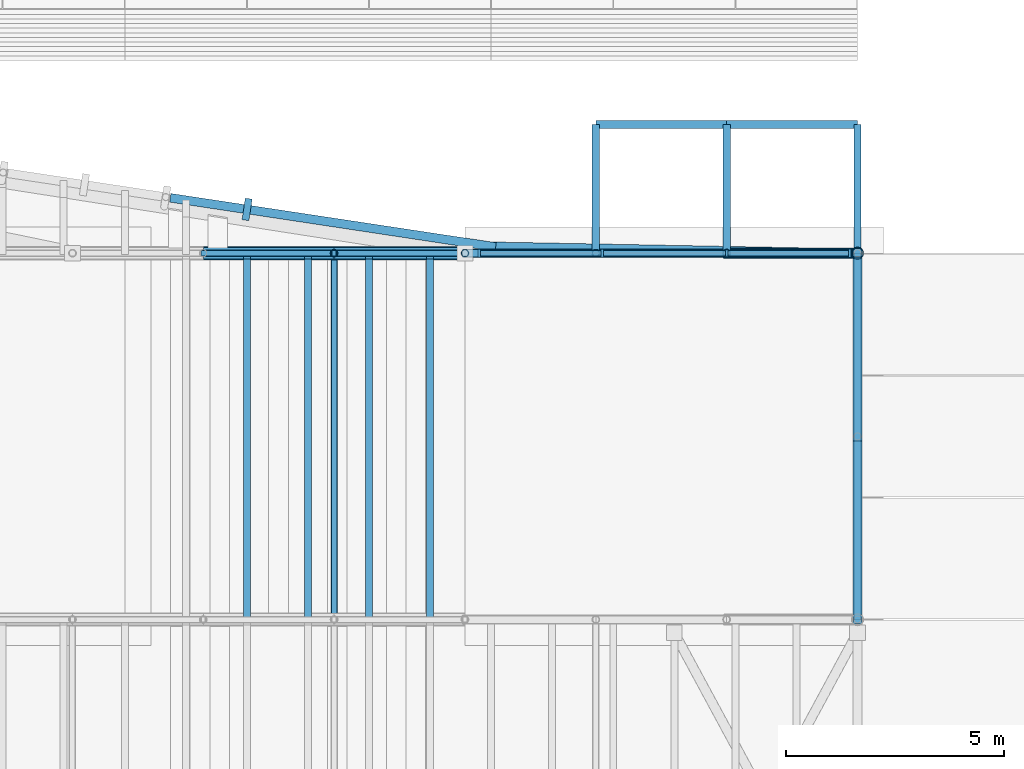
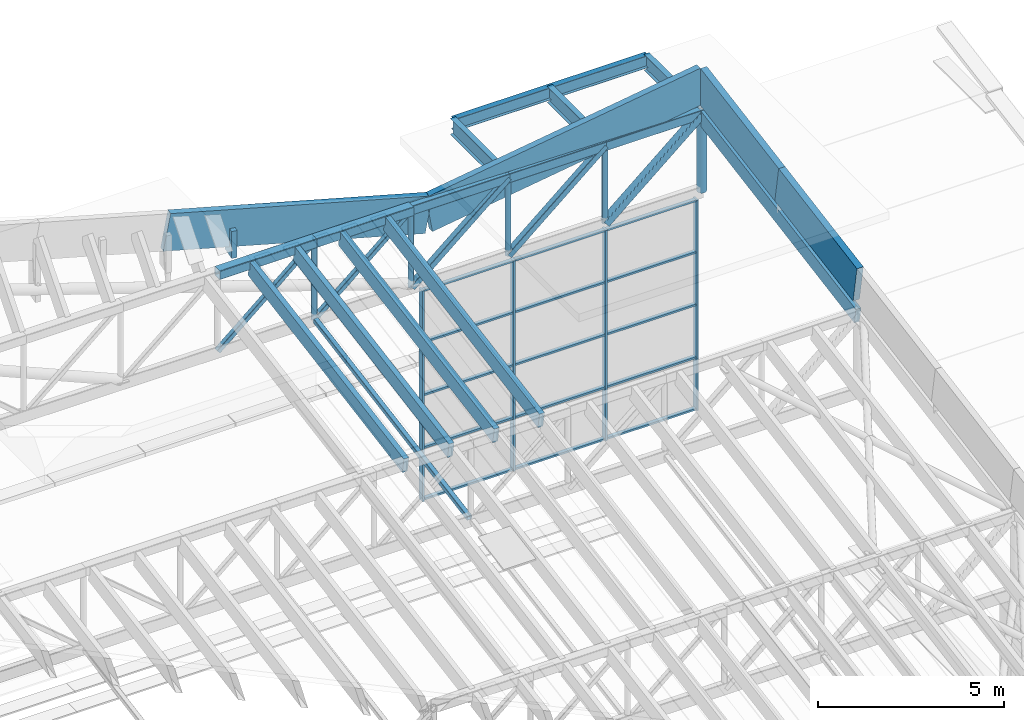
# One storey, part 51 of 91: 41 members, 9 beams, 1 element without a shape of its own.
"""IFC4 building model written with IfcOpenShell, lengths in metres."""

from ifc_helpers import new_model, si_unit, direction, frame, origin, origin_2d, place, context, subcontext, project, spatial, rectangle, hollow_rectangle, hollow_circle, i_section, extrude, material, material_profile, profile_set, type_object, element, aggregate, save


model = new_model("IFC4")

# Units and contexts
model_context = context("Model", 3, precision=1e-05, world=origin(), true_north=direction((0.0, 1.0)))
body_context = subcontext(model_context, "Body", "Model", "MODEL_VIEW")
ifc_project = project(units=[si_unit("LENGTHUNIT", "METRE"), si_unit("AREAUNIT", "SQUARE_METRE"), si_unit("VOLUMEUNIT", "CUBIC_METRE"), si_unit("PLANEANGLEUNIT", "RADIAN"), si_unit("MASSUNIT", "GRAM", prefix="KILO")], contexts=[model_context])

# Site, building, storey
site_placement = place(None, origin())
site = spatial("IfcSite", under=ifc_project, at=site_placement, CompositionType="ELEMENT")
building_placement = place(site_placement, origin())
building = spatial("IfcBuilding", under=site, at=building_placement, Name="Almond Square Museum", CompositionType="ELEMENT")
storey_placement = place(building_placement, frame((0.0, 0.0, 30.0)))
storey = spatial("IfcBuildingStorey", under=building, at=storey_placement, Name="L05", CompositionType="ELEMENT", Elevation=30.0)

# Curtain wall, members
ifc_material_1 = material(Name="Aluminium and laminated glass", Category="aluminium")
curtain_wall_type = type_object("IfcCurtainWallType", Name="Clerestory curtain wall 2800 module", PredefinedType="NOTDEFINED", material=ifc_material_1)
curtain_wall_placement = place(storey_placement, origin())
curtain_wall = element("IfcCurtainWall", 1, at=curtain_wall_placement, inside=storey, type_object=curtain_wall_type, Name="Hall north clerestory glazing 1", PredefinedType="NOTDEFINED")
ifc_material_2 = material(Name="Anodised aluminium", Category="aluminium")
ifc_material_profile_1 = material_profile(ifc_material_2, rectangle(XDim=0.199951171875, YDim=0.06005859375, at=origin_2d()))
ifc_profile_set_1 = profile_set([ifc_material_profile_1], Name="Anodised aluminium")
member_type_1 = type_object("IfcMemberType", Name="Aluminium mullion 60 x 200", PredefinedType="MULLION", material=ifc_profile_set_1)
member_1_placement = place(storey_placement, frame((140.1298828125, 109.199951171875, 6.89990234375), z_axis=(0.0, 0.0, 1.0), x_axis=(0.0, 1.0, 0.0)))
member_1 = element("IfcMember", 2, at=member_1_placement, type_object=member_type_1, Name="CW-61 mullion 1", PredefinedType="MULLION", context=body_context, shape_type="SweptSolid", body=[
    extrude(rectangle(XDim=0.199951171875, YDim=0.06005859375, at=origin_2d()), origin(), (0.0, 0.0, 1.0), 6.89013671875),
])
member_2_placement = place(storey_placement, frame((142.949951171875, 109.199951171875, 6.89990234375), z_axis=(0.0, 0.0, 1.0), x_axis=(0.0, 1.0, 0.0)))
member_2 = element("IfcMember", 3, at=member_2_placement, type_object=member_type_1, Name="CW-61 mullion 2", PredefinedType="MULLION", context=body_context, shape_type="SweptSolid", body=[
    extrude(rectangle(XDim=0.199951171875, YDim=0.06005859375, at=origin_2d()), origin(), (0.0, 0.0, 1.0), 6.89013671875),
])
member_3_placement = place(storey_placement, frame((145.800048828125, 109.199951171875, 6.89990234375), z_axis=(0.0, 0.0, 1.0), x_axis=(0.0, 1.0, 0.0)))
member_3 = element("IfcMember", 4, at=member_3_placement, type_object=member_type_1, Name="CW-61 mullion 3", PredefinedType="MULLION", context=body_context, shape_type="SweptSolid", body=[
    extrude(rectangle(XDim=0.199951171875, YDim=0.06005859375, at=origin_2d()), origin(), (0.0, 0.0, 1.0), 6.89013671875),
])
member_4_placement = place(storey_placement, frame((148.6201171875, 109.199951171875, 6.89990234375), z_axis=(0.0, 0.0, 1.0), x_axis=(0.0, 1.0, 0.0)))
member_4 = element("IfcMember", 5, at=member_4_placement, type_object=member_type_1, Name="CW-61 mullion 4", PredefinedType="MULLION", context=body_context, shape_type="SweptSolid", body=[
    extrude(rectangle(XDim=0.199951171875, YDim=0.06005859375, at=origin_2d()), origin(), (0.0, 0.0, 1.0), 6.89013671875),
])
ifc_material_3 = material(Name="Anodised aluminium", Category="aluminium")
ifc_material_profile_2 = material_profile(ifc_material_3, rectangle(XDim=0.1201171875, YDim=0.06005859375, at=origin_2d()))
ifc_profile_set_2 = profile_set([ifc_material_profile_2], Name="Anodised aluminium")
member_type_2 = type_object("IfcMemberType", Name="Aluminium transom 60 x 120", PredefinedType="USERDEFINED", material=ifc_profile_set_2)
member_5_placement = place(storey_placement, frame((140.159912109375, 109.199951171875, 6.929931640625), z_axis=(1.0, 0.0, 0.0), x_axis=(0.0, 1.0, 0.0)))
member_5 = element("IfcMember", 6, at=member_5_placement, type_object=member_type_2, Name="CW-61 transom 1.1", ObjectType="TRANSOM", PredefinedType="USERDEFINED", context=body_context, shape_type="SweptSolid", body=[
    extrude(rectangle(XDim=0.1201171875, YDim=0.06005859375, at=origin_2d()), origin(), (0.0, 0.0, 1.0), 2.760009765625),
])
member_6_placement = place(storey_placement, frame((140.159912109375, 109.199951171875, 8.62255859375), z_axis=(1.0, 0.0, 0.0), x_axis=(0.0, 1.0, 0.0)))
member_6 = element("IfcMember", 7, at=member_6_placement, type_object=member_type_2, Name="CW-61 transom 1.2", ObjectType="TRANSOM", PredefinedType="USERDEFINED", context=body_context, shape_type="SweptSolid", body=[
    extrude(rectangle(XDim=0.1201171875, YDim=0.06005859375, at=origin_2d()), origin(), (0.0, 0.0, 1.0), 2.760009765625),
])
member_7_placement = place(storey_placement, frame((140.159912109375, 109.199951171875, 10.344970703125), z_axis=(1.0, 0.0, 0.0), x_axis=(0.0, 1.0, 0.0)))
member_7 = element("IfcMember", 8, at=member_7_placement, type_object=member_type_2, Name="CW-61 transom 1.3", ObjectType="TRANSOM", PredefinedType="USERDEFINED", context=body_context, shape_type="SweptSolid", body=[
    extrude(rectangle(XDim=0.1201171875, YDim=0.06005859375, at=origin_2d()), origin(), (0.0, 0.0, 1.0), 2.760009765625),
])
member_8_placement = place(storey_placement, frame((140.159912109375, 109.199951171875, 12.0673828125), z_axis=(1.0, 0.0, 0.0), x_axis=(0.0, 1.0, 0.0)))
member_8 = element("IfcMember", 9, at=member_8_placement, type_object=member_type_2, Name="CW-61 transom 1.4", ObjectType="TRANSOM", PredefinedType="USERDEFINED", context=body_context, shape_type="SweptSolid", body=[
    extrude(rectangle(XDim=0.1201171875, YDim=0.06005859375, at=origin_2d()), origin(), (0.0, 0.0, 1.0), 2.760009765625),
])
member_9_placement = place(storey_placement, frame((140.159912109375, 109.199951171875, 13.760009765625), z_axis=(1.0, 0.0, 0.0), x_axis=(0.0, 1.0, 0.0)))
member_9 = element("IfcMember", 10, at=member_9_placement, type_object=member_type_2, Name="CW-61 transom 1.5", ObjectType="TRANSOM", PredefinedType="USERDEFINED", context=body_context, shape_type="SweptSolid", body=[
    extrude(rectangle(XDim=0.1201171875, YDim=0.06005859375, at=origin_2d()), origin(), (0.0, 0.0, 1.0), 2.760009765625),
])
member_10_placement = place(storey_placement, frame((142.97998046875, 109.199951171875, 6.929931640625), z_axis=(1.0, 0.0, 0.0), x_axis=(0.0, 1.0, 0.0)))
member_10 = element("IfcMember", 11, at=member_10_placement, type_object=member_type_2, Name="CW-61 transom 2.1", ObjectType="TRANSOM", PredefinedType="USERDEFINED", context=body_context, shape_type="SweptSolid", body=[
    extrude(rectangle(XDim=0.1201171875, YDim=0.06005859375, at=origin_2d()), origin(), (0.0, 0.0, 1.0), 2.7900390625),
])
member_11_placement = place(storey_placement, frame((142.97998046875, 109.199951171875, 8.62255859375), z_axis=(1.0, 0.0, 0.0), x_axis=(0.0, 1.0, 0.0)))
member_11 = element("IfcMember", 12, at=member_11_placement, type_object=member_type_2, Name="CW-61 transom 2.2", ObjectType="TRANSOM", PredefinedType="USERDEFINED", context=body_context, shape_type="SweptSolid", body=[
    extrude(rectangle(XDim=0.1201171875, YDim=0.06005859375, at=origin_2d()), origin(), (0.0, 0.0, 1.0), 2.7900390625),
])
member_12_placement = place(storey_placement, frame((142.97998046875, 109.199951171875, 10.344970703125), z_axis=(1.0, 0.0, 0.0), x_axis=(0.0, 1.0, 0.0)))
member_12 = element("IfcMember", 13, at=member_12_placement, type_object=member_type_2, Name="CW-61 transom 2.3", ObjectType="TRANSOM", PredefinedType="USERDEFINED", context=body_context, shape_type="SweptSolid", body=[
    extrude(rectangle(XDim=0.1201171875, YDim=0.06005859375, at=origin_2d()), origin(), (0.0, 0.0, 1.0), 2.7900390625),
])
member_13_placement = place(storey_placement, frame((142.97998046875, 109.199951171875, 12.0673828125), z_axis=(1.0, 0.0, 0.0), x_axis=(0.0, 1.0, 0.0)))
member_13 = element("IfcMember", 14, at=member_13_placement, type_object=member_type_2, Name="CW-61 transom 2.4", ObjectType="TRANSOM", PredefinedType="USERDEFINED", context=body_context, shape_type="SweptSolid", body=[
    extrude(rectangle(XDim=0.1201171875, YDim=0.06005859375, at=origin_2d()), origin(), (0.0, 0.0, 1.0), 2.7900390625),
])
member_14_placement = place(storey_placement, frame((142.97998046875, 109.199951171875, 13.760009765625), z_axis=(1.0, 0.0, 0.0), x_axis=(0.0, 1.0, 0.0)))
member_14 = element("IfcMember", 15, at=member_14_placement, type_object=member_type_2, Name="CW-61 transom 2.5", ObjectType="TRANSOM", PredefinedType="USERDEFINED", context=body_context, shape_type="SweptSolid", body=[
    extrude(rectangle(XDim=0.1201171875, YDim=0.06005859375, at=origin_2d()), origin(), (0.0, 0.0, 1.0), 2.7900390625),
])
member_15_placement = place(storey_placement, frame((145.830078125, 109.199951171875, 6.929931640625), z_axis=(1.0, 0.0, 0.0), x_axis=(0.0, 1.0, 0.0)))
member_15 = element("IfcMember", 16, at=member_15_placement, type_object=member_type_2, Name="CW-61 transom 3.1", ObjectType="TRANSOM", PredefinedType="USERDEFINED", context=body_context, shape_type="SweptSolid", body=[
    extrude(rectangle(XDim=0.1201171875, YDim=0.06005859375, at=origin_2d()), origin(), (0.0, 0.0, 1.0), 2.760009765625),
])
member_16_placement = place(storey_placement, frame((145.830078125, 109.199951171875, 8.62255859375), z_axis=(1.0, 0.0, 0.0), x_axis=(0.0, 1.0, 0.0)))
member_16 = element("IfcMember", 17, at=member_16_placement, type_object=member_type_2, Name="CW-61 transom 3.2", ObjectType="TRANSOM", PredefinedType="USERDEFINED", context=body_context, shape_type="SweptSolid", body=[
    extrude(rectangle(XDim=0.1201171875, YDim=0.06005859375, at=origin_2d()), origin(), (0.0, 0.0, 1.0), 2.760009765625),
])
member_17_placement = place(storey_placement, frame((145.830078125, 109.199951171875, 10.344970703125), z_axis=(1.0, 0.0, 0.0), x_axis=(0.0, 1.0, 0.0)))
member_17 = element("IfcMember", 18, at=member_17_placement, type_object=member_type_2, Name="CW-61 transom 3.3", ObjectType="TRANSOM", PredefinedType="USERDEFINED", context=body_context, shape_type="SweptSolid", body=[
    extrude(rectangle(XDim=0.1201171875, YDim=0.06005859375, at=origin_2d()), origin(), (0.0, 0.0, 1.0), 2.760009765625),
])
member_18_placement = place(storey_placement, frame((145.830078125, 109.199951171875, 12.0673828125), z_axis=(1.0, 0.0, 0.0), x_axis=(0.0, 1.0, 0.0)))
member_18 = element("IfcMember", 19, at=member_18_placement, type_object=member_type_2, Name="CW-61 transom 3.4", ObjectType="TRANSOM", PredefinedType="USERDEFINED", context=body_context, shape_type="SweptSolid", body=[
    extrude(rectangle(XDim=0.1201171875, YDim=0.06005859375, at=origin_2d()), origin(), (0.0, 0.0, 1.0), 2.760009765625),
])
member_19_placement = place(storey_placement, frame((145.830078125, 109.199951171875, 13.760009765625), z_axis=(1.0, 0.0, 0.0), x_axis=(0.0, 1.0, 0.0)))
member_19 = element("IfcMember", 20, at=member_19_placement, type_object=member_type_2, Name="CW-61 transom 3.5", ObjectType="TRANSOM", PredefinedType="USERDEFINED", context=body_context, shape_type="SweptSolid", body=[
    extrude(rectangle(XDim=0.1201171875, YDim=0.06005859375, at=origin_2d()), origin(), (0.0, 0.0, 1.0), 2.760009765625),
])
aggregate(curtain_wall, [member_1, member_2, member_3, member_4, member_5, member_6, member_7, member_8, member_9, member_10, member_11, member_12, member_13, member_14, member_15, member_16, member_17, member_18, member_19])

# Beams
ifc_material_4 = material(Name="Structural steel S355", Category="steel")
ifc_material_profile_3 = material_profile(ifc_material_4, i_section(OverallWidth=0.177978515625, OverallDepth=0.406005859375, WebThickness=0.0078125, FlangeThickness=0.0126953125, at=origin_2d()))
ifc_profile_set_3 = profile_set([ifc_material_profile_3], Name="Structural steel S355")
beam_type_1 = type_object("IfcBeamType", Name="Eave beam W410x60", PredefinedType="BEAM", material=ifc_profile_set_3)
for number, where, z_axis, x_axis, name in (
    (21, (142.800048828125, 112.14990234375, 16.47607421875), (1.0, 0.0, 0.0), (0.0, 1.0, 0.0), "North eave tip beam"),
    (22, (145.800048828125, 112.14990234375, 16.47607421875), (1.0, 0.0, 0.0), (0.0, 1.0, 0.0), "North eave tip beam"),
):
    element("IfcBeam", number, at=place(storey_placement, frame(where, z_axis=z_axis, x_axis=x_axis)), inside=storey, type_object=beam_type_1, Name=name, PredefinedType="BEAM", context=body_context, shape_type="SweptSolid", body=[
        extrude(i_section(OverallWidth=0.177978515625, OverallDepth=0.406005859375, WebThickness=0.0078125, FlangeThickness=0.0126953125, at=origin_2d()), origin(), (0.0, 0.0, 1.0), 3.0),
    ])

# Members
ifc_material_5 = material(Name="Glulam GL28h", Category="wood")
ifc_material_profile_4 = material_profile(ifc_material_5, rectangle(XDim=0.159912109375, YDim=0.5, at=origin_2d()))
ifc_profile_set_4 = profile_set([ifc_material_profile_4], Name="Glulam GL28h")
member_type_3 = type_object("IfcMemberType", Name="Gable stud GL28h 160x500", PredefinedType="POST", material=ifc_profile_set_4)
member_20_placement = place(storey_placement, frame((134.804931640625, 110.204345703125, 16.227294921875), z_axis=(0.0, 0.0, 1.0), x_axis=(-0.988752832318, 0.149558806438, 0.0)))
element("IfcMember", 23, at=member_20_placement, inside=storey, type_object=member_type_3, Name="Prow gable stud 3", PredefinedType="POST", context=body_context, shape_type="SweptSolid", body=[
    extrude(rectangle(XDim=0.159912109375, YDim=0.5, at=origin_2d()), origin(), (0.0, 0.0, 1.0), 0.884765625),
])
ifc_material_6 = material(Name="Glulam GL28h", Category="wood")
ifc_material_profile_5 = material_profile(ifc_material_6, rectangle(XDim=0.159912109375, YDim=0.5, at=origin_2d()))
ifc_profile_set_5 = profile_set([ifc_material_profile_5], Name="Glulam GL28h")
member_type_4 = type_object("IfcMemberType", Name="Glulam rafter GL28h 160x500", PredefinedType="RAFTER", material=ifc_profile_set_5)
for number, where, z_axis, x_axis, name in (
    (24, (134.800048828125, 100.830078125, 14.969970703125), (0.0, 0.985031576373, 0.172373993248), (-1.0, 0.0, 0.0), "Hall rafter 7.21"),
    (25, (136.199951171875, 100.830078125, 14.969970703125), (0.0, 0.985031576373, 0.172373993248), (-1.0, 0.0, 0.0), "Hall rafter 7.22"),
    (26, (137.60009765625, 100.830078125, 14.969970703125), (0.0, 0.985031576373, 0.172373993248), (-1.0, 0.0, 0.0), "Hall rafter 7.23"),
    (27, (139.0, 100.830078125, 14.969970703125), (0.0, 0.985031576373, 0.172373993248), (-1.0, 0.0, 0.0), "Hall rafter 7.24"),
):
    element("IfcMember", number, at=place(storey_placement, frame(where, z_axis=z_axis, x_axis=x_axis)), inside=storey, type_object=member_type_4, Name=name, PredefinedType="RAFTER", context=body_context, shape_type="SweptSolid", body=[
        extrude(rectangle(XDim=0.159912109375, YDim=0.5, at=origin_2d()), origin(), (0.0, 0.0, 1.0), 8.408935546875),
    ])
member_21_placement = place(storey_placement, frame((148.800048828125, 100.830078125, 14.969970703125), z_axis=(0.0, 0.985030957185, 0.172377531562), x_axis=(-1.0, 0.0, 0.0)))
element("IfcMember", 28, at=member_21_placement, inside=storey, type_object=member_type_4, Name="Hall rafter 7.31", PredefinedType="RAFTER", context=body_context, shape_type="SweptSolid", body=[
    extrude(rectangle(XDim=0.159912109375, YDim=0.5, at=origin_2d()), origin(), (0.0, 0.0, 1.0), 8.459716796875),
])

# Beams
ifc_material_7 = material(Name="Glulam GL28h", Category="wood")
ifc_material_profile_6 = material_profile(ifc_material_7, rectangle(XDim=0.199951171875, YDim=1.199951171875, at=origin_2d()))
ifc_profile_set_6 = profile_set([ifc_material_profile_6], Name="Glulam GL28h")
beam_type_2 = type_object("IfcBeamType", Name="Rake fascia beam GL28h 200x1200", PredefinedType="BEAM", material=ifc_profile_set_6)
beam_1_placement = place(storey_placement, frame((148.800048828125, 100.800048828125, 16.02001953125), z_axis=(0.0, 0.98503557112, 0.172351163697), x_axis=(-1.0, 0.0, 0.0)))
element("IfcBeam", 29, at=beam_1_placement, inside=storey, type_object=beam_type_2, Name="Gable rake fascia E 13", PredefinedType="BEAM", context=body_context, shape_type="SweptSolid", body=[
    extrude(rectangle(XDim=0.199951171875, YDim=1.199951171875, at=origin_2d()), origin(), (0.0, 0.0, 1.0), 4.263671875),
])
beam_2_placement = place(storey_placement, frame((148.800048828125, 105.0, 16.7548828125), z_axis=(0.0, 0.985025848584, 0.172406721507), x_axis=(-1.0, 0.0, 0.0)))
element("IfcBeam", 30, at=beam_2_placement, inside=storey, type_object=beam_type_2, Name="Gable rake fascia E 14", PredefinedType="BEAM", context=body_context, shape_type="SweptSolid", body=[
    extrude(rectangle(XDim=0.199951171875, YDim=1.199951171875, at=origin_2d()), origin(), (0.0, 0.0, 1.0), 4.263916015625),
])
beam_3_placement = place(storey_placement, frame((140.39990234375, 109.35791015625, 16.103515625), z_axis=(-0.973412266922, 0.147241507321, 0.175466512836), x_axis=(-0.149561900376, -0.988752364324, 0.0)))
element("IfcBeam", 31, at=beam_3_placement, inside=storey, type_object=beam_type_2, Name="Prow edge fascia 1 to 2", PredefinedType="BEAM", context=body_context, shape_type="SweptSolid", body=[
    extrude(rectangle(XDim=0.199951171875, YDim=1.199951171875, at=origin_2d()), origin(), (0.0, 0.0, 1.0), 7.663818359375),
])
beam_4_placement = place(storey_placement, frame((148.800048828125, 109.199951171875, 17.489990234375), z_axis=(-0.986481020336, 0.01855009795, -0.162822266239), x_axis=(-0.018800989334, -0.999823245779, 0.0)))
element("IfcBeam", 32, at=beam_4_placement, inside=storey, type_object=beam_type_2, Name="Gable rake fascia E closing", PredefinedType="BEAM", context=body_context, shape_type="SweptSolid", body=[
    extrude(rectangle(XDim=0.199951171875, YDim=1.199951171875, at=origin_2d()), origin(), (0.0, 0.0, 1.0), 8.515380859375),
])
ifc_material_8 = material(Name="Structural steel S355", Category="steel")
ifc_material_profile_7 = material_profile(ifc_material_8, i_section(OverallWidth=0.166015625, OverallDepth=0.528076171875, WebThickness=0.009765625, FlangeThickness=0.013671875, at=origin_2d()))
ifc_profile_set_7 = profile_set([ifc_material_profile_7], Name="Structural steel S355")
beam_type_3 = type_object("IfcBeamType", Name="Roof beam W530x74", PredefinedType="BEAM", material=ifc_profile_set_7)
for number, where, z_axis, x_axis, name in (
    (33, (142.800048828125, 109.199951171875, 16.426025390625), (0.0, 1.0, 0.0), (-1.0, 0.0, 0.0), "North eave bracket beam"),
    (34, (145.800048828125, 109.199951171875, 16.426025390625), (0.0, 1.0, 0.0), (-1.0, 0.0, 0.0), "North eave bracket beam"),
    (35, (148.800048828125, 109.199951171875, 16.426025390625), (0.0, 1.0, 0.0), (-1.0, 0.0, 0.0), "North eave bracket beam"),
):
    element("IfcBeam", number, at=place(storey_placement, frame(where, z_axis=z_axis, x_axis=x_axis)), inside=storey, type_object=beam_type_3, Name=name, PredefinedType="BEAM", context=body_context, shape_type="SweptSolid", body=[
        extrude(i_section(OverallWidth=0.166015625, OverallDepth=0.528076171875, WebThickness=0.009765625, FlangeThickness=0.013671875, at=origin_2d()), origin(), (0.0, 0.0, 1.0), 2.949951171875),
    ])

# Members
ifc_material_9 = material(Name="Structural steel S355", Category="steel")
ifc_material_profile_8 = material_profile(ifc_material_9, hollow_rectangle(XDim=0.199951171875, YDim=0.300048828125, WallThickness=0.010009765625, InnerFilletRadius=0.014892578125, OuterFilletRadius=0.02490234375, at=origin_2d()))
ifc_profile_set_8 = profile_set([ifc_material_profile_8], Name="Structural steel S355")
member_type_5 = type_object("IfcMemberType", Name="Truss chord RHS 300x200x10", PredefinedType="CHORD", material=ifc_profile_set_8)
for number, where, z_axis, x_axis, name in (
    (36, (139.800048828125, 109.199951171875, 16.53857421875), (1.0, 0.0, 0.0), (0.0, 1.0, 0.0), "TR-08 top chord 12"),
    (37, (142.800048828125, 109.199951171875, 16.53857421875), (1.0, 0.0, 0.0), (0.0, 1.0, 0.0), "TR-08 top chord 13"),
    (38, (145.800048828125, 109.199951171875, 16.53857421875), (1.0, 0.0, 0.0), (0.0, 1.0, 0.0), "TR-08 top chord 14"),
):
    element("IfcMember", number, at=place(storey_placement, frame(where, z_axis=z_axis, x_axis=x_axis)), inside=storey, type_object=member_type_5, Name=name, PredefinedType="CHORD", context=body_context, shape_type="SweptSolid", body=[
        extrude(hollow_rectangle(XDim=0.199951171875, YDim=0.300048828125, WallThickness=0.010009765625, InnerFilletRadius=0.014892578125, OuterFilletRadius=0.02490234375, at=origin_2d()), origin(), (0.0, 0.0, 1.0), 3.0),
    ])
ifc_material_10 = material(Name="Structural steel S355", Category="steel")
ifc_material_profile_9 = material_profile(ifc_material_10, hollow_rectangle(XDim=0.300048828125, YDim=0.300048828125, WallThickness=0.012451171875, InnerFilletRadius=0.02490234375, OuterFilletRadius=0.03759765625, at=origin_2d()))
ifc_profile_set_9 = profile_set([ifc_material_profile_9], Name="Structural steel S355")
member_type_6 = type_object("IfcMemberType", Name="Truss chord SHS 300x300x12.5", PredefinedType="CHORD", material=ifc_profile_set_9)
for number, where, z_axis, x_axis, name in (
    (39, (133.800048828125, 109.199951171875, 16.53857421875), (1.0, 0.0, 0.0), (0.0, 1.0, 0.0), "TR-08 top chord 10"),
    (40, (136.800048828125, 109.199951171875, 16.53857421875), (1.0, 0.0, 0.0), (0.0, 1.0, 0.0), "TR-08 top chord 11"),
):
    element("IfcMember", number, at=place(storey_placement, frame(where, z_axis=z_axis, x_axis=x_axis)), inside=storey, type_object=member_type_6, Name=name, PredefinedType="CHORD", context=body_context, shape_type="SweptSolid", body=[
        extrude(hollow_rectangle(XDim=0.300048828125, YDim=0.300048828125, WallThickness=0.012451171875, InnerFilletRadius=0.02490234375, OuterFilletRadius=0.03759765625, at=origin_2d()), origin(), (0.0, 0.0, 1.0), 3.0),
    ])
ifc_material_11 = material(Name="Structural steel S355", Category="steel")
ifc_material_profile_10 = material_profile(ifc_material_11, hollow_rectangle(XDim=0.14990234375, YDim=0.14990234375, WallThickness=0.008056640625, InnerFilletRadius=0.011962890625, OuterFilletRadius=0.02001953125, at=origin_2d()))
ifc_profile_set_10 = profile_set([ifc_material_profile_10], Name="Structural steel S355")
member_type_7 = type_object("IfcMemberType", Name="Truss diagonal SHS 150x150x8", PredefinedType="BRACE", material=ifc_profile_set_10)
for number, where, z_axis, x_axis, name in (
    (41, (133.800048828125, 109.199951171875, 13.989990234375), (0.762116801264, 0.0, 0.647439557975), (0.0, 1.0, 0.0), "TR-08 diagonal 10"),
    (42, (136.800048828125, 109.199951171875, 13.989990234375), (0.762116801264, 0.0, 0.647439557975), (0.0, 1.0, 0.0), "TR-08 diagonal 11"),
):
    element("IfcMember", number, at=place(storey_placement, frame(where, z_axis=z_axis, x_axis=x_axis)), inside=storey, type_object=member_type_7, Name=name, PredefinedType="BRACE", context=body_context, shape_type="SweptSolid", body=[
        extrude(hollow_rectangle(XDim=0.14990234375, YDim=0.14990234375, WallThickness=0.008056640625, InnerFilletRadius=0.011962890625, OuterFilletRadius=0.02001953125, at=origin_2d()), origin(), (0.0, 0.0, 1.0), 3.9365234375),
    ])
ifc_material_12 = material(Name="Structural steel S355", Category="steel")
ifc_material_profile_11 = material_profile(ifc_material_12, hollow_rectangle(XDim=0.199951171875, YDim=0.199951171875, WallThickness=0.010009765625, InnerFilletRadius=0.014892578125, OuterFilletRadius=0.02490234375, at=origin_2d()))
ifc_profile_set_11 = profile_set([ifc_material_profile_11], Name="Structural steel S355")
member_type_8 = type_object("IfcMemberType", Name="Truss diagonal SHS 200x200x10", PredefinedType="BRACE", material=ifc_profile_set_11)
for number, where, z_axis, x_axis, name in (
    (43, (139.800048828125, 109.199951171875, 13.989990234375), (0.762116801264, 0.0, 0.647439557975), (0.0, 1.0, 0.0), "TR-08 diagonal 12"),
    (44, (142.800048828125, 109.199951171875, 13.989990234375), (0.762116801264, 0.0, 0.647439557975), (0.0, 1.0, 0.0), "TR-08 diagonal 13"),
):
    element("IfcMember", number, at=place(storey_placement, frame(where, z_axis=z_axis, x_axis=x_axis)), inside=storey, type_object=member_type_8, Name=name, PredefinedType="BRACE", context=body_context, shape_type="SweptSolid", body=[
        extrude(hollow_rectangle(XDim=0.199951171875, YDim=0.199951171875, WallThickness=0.010009765625, InnerFilletRadius=0.014892578125, OuterFilletRadius=0.02490234375, at=origin_2d()), origin(), (0.0, 0.0, 1.0), 3.9365234375),
    ])
ifc_material_13 = material(Name="Structural steel S355", Category="steel")
ifc_material_profile_12 = material_profile(ifc_material_13, hollow_rectangle(XDim=0.25, YDim=0.25, WallThickness=0.012451171875, InnerFilletRadius=0.02490234375, OuterFilletRadius=0.03759765625, at=origin_2d()))
ifc_profile_set_12 = profile_set([ifc_material_profile_12], Name="Structural steel S355")
member_type_9 = type_object("IfcMemberType", Name="Truss diagonal SHS 250x250x12.5", PredefinedType="BRACE", material=ifc_profile_set_12)
member_22_placement = place(storey_placement, frame((145.800048828125, 109.199951171875, 13.989990234375), z_axis=(0.762116801264, 0.0, 0.647439557975), x_axis=(0.0, 1.0, 0.0)))
element("IfcMember", 45, at=member_22_placement, inside=storey, type_object=member_type_9, Name="TR-08 diagonal 14", PredefinedType="BRACE", context=body_context, shape_type="SweptSolid", body=[
    extrude(hollow_rectangle(XDim=0.25, YDim=0.25, WallThickness=0.012451171875, InnerFilletRadius=0.02490234375, OuterFilletRadius=0.03759765625, at=origin_2d()), origin(), (0.0, 0.0, 1.0), 3.9365234375),
])
ifc_material_14 = material(Name="Structural steel S355", Category="steel")
ifc_material_profile_13 = material_profile(ifc_material_14, hollow_circle(Radius=0.084228515625, WallThickness=0.008056640625, at=origin_2d()))
ifc_profile_set_13 = profile_set([ifc_material_profile_13], Name="Structural steel S355")
member_type_10 = type_object("IfcMemberType", Name="Truss post CHS 168.3x8", PredefinedType="POST", material=ifc_profile_set_13)
for number, where, z_axis, x_axis, name in (
    (46, (136.800048828125, 109.199951171875, 13.989990234375), (0.0, 0.0, 1.0), (1.0, 0.0, 0.0), "TR-08 post 11"),
    (47, (139.800048828125, 109.199951171875, 13.989990234375), (0.0, 0.0, 1.0), (1.0, 0.0, 0.0), "TR-08 post 12"),
    (48, (142.800048828125, 109.199951171875, 13.989990234375), (0.0, 0.0, 1.0), (1.0, 0.0, 0.0), "TR-08 post 13"),
    (49, (145.800048828125, 109.199951171875, 13.989990234375), (0.0, 0.0, 1.0), (1.0, 0.0, 0.0), "TR-08 post 14"),
):
    element("IfcMember", number, at=place(storey_placement, frame(where, z_axis=z_axis, x_axis=x_axis)), inside=storey, type_object=member_type_10, Name=name, PredefinedType="POST", context=body_context, shape_type="SweptSolid", body=[
        extrude(hollow_circle(Radius=0.084228515625, WallThickness=0.008056640625, at=origin_2d()), origin(), (0.0, 0.0, 1.0), 2.548583984375),
    ])
ifc_material_15 = material(Name="Structural steel S355", Category="steel")
ifc_material_profile_14 = material_profile(ifc_material_15, hollow_circle(Radius=0.136474609375, WallThickness=0.012451171875, at=origin_2d()))
ifc_profile_set_14 = profile_set([ifc_material_profile_14], Name="Structural steel S355")
member_type_11 = type_object("IfcMemberType", Name="Truss post CHS 273x12.5", PredefinedType="POST", material=ifc_profile_set_14)
member_23_placement = place(storey_placement, frame((148.800048828125, 109.199951171875, 13.989990234375), z_axis=(0.0, 0.0, 1.0), x_axis=(1.0, 0.0, 0.0)))
element("IfcMember", 50, at=member_23_placement, inside=storey, type_object=member_type_11, Name="TR-08 post 15", PredefinedType="POST", context=body_context, shape_type="SweptSolid", body=[
    extrude(hollow_circle(Radius=0.136474609375, WallThickness=0.012451171875, at=origin_2d()), origin(), (0.0, 0.0, 1.0), 2.548583984375),
])
ifc_material_16 = material(Name="Structural steel S355", Category="steel")
ifc_material_profile_15 = material_profile(ifc_material_16, hollow_rectangle(XDim=0.14990234375, YDim=0.14990234375, WallThickness=0.008056640625, InnerFilletRadius=0.011962890625, OuterFilletRadius=0.02001953125, at=origin_2d()))
ifc_profile_set_15 = profile_set([ifc_material_profile_15], Name="Structural steel S355")
member_type_12 = type_object("IfcMemberType", Name="Truss tie SHS 150x150x8", PredefinedType="MEMBER", material=ifc_profile_set_15)
member_24_placement = place(storey_placement, frame((136.800048828125, 100.875, 12.52001953125), z_axis=(0.0, 0.984494486924, 0.175415521596), x_axis=(-1.0, 0.0, 0.0)))
element("IfcMember", 51, at=member_24_placement, inside=storey, type_object=member_type_12, Name="Hall bay 7 tie 6", PredefinedType="MEMBER", context=body_context, shape_type="SweptSolid", body=[
    extrude(hollow_rectangle(XDim=0.14990234375, YDim=0.14990234375, WallThickness=0.008056640625, InnerFilletRadius=0.011962890625, OuterFilletRadius=0.02001953125, at=origin_2d()), origin(), (0.0, 0.0, 1.0), 8.3798828125),
])

save(model, "model.ifc")
